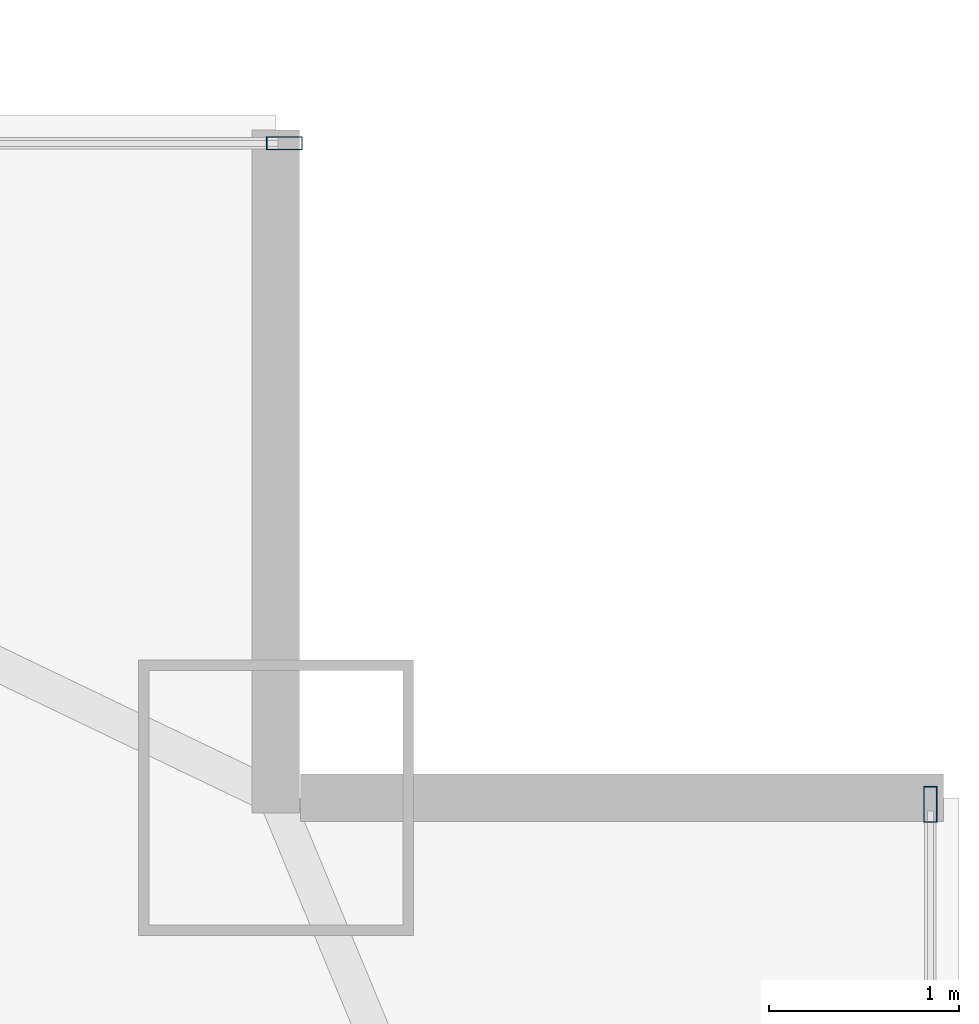
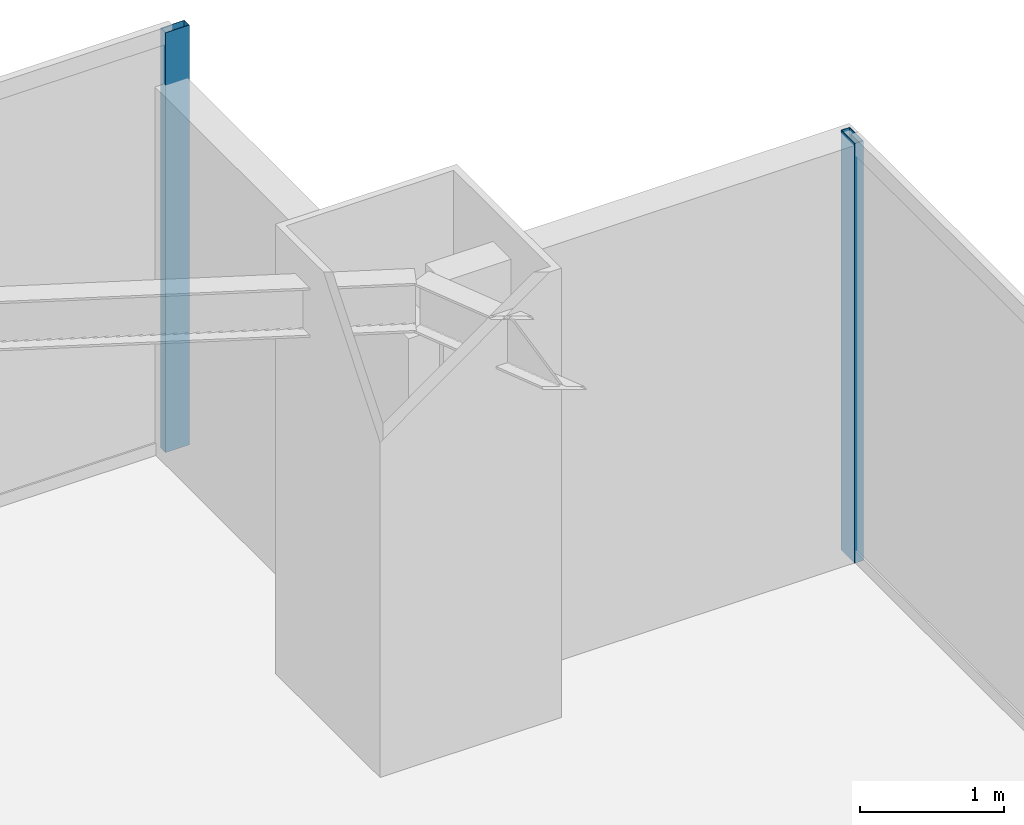
# One storey, part 26 of 36: 2 members, 2 elements without a shape of their own.
"""IFC4 building model written with IfcOpenShell, lengths in metres."""

from ifc_helpers import new_model, si_unit, direction, frame, origin, origin_2d, place, context, subcontext, project, spatial, hollow_rectangle, extrude, source, transform, mapped, material, layer, layer_set, material_profile, profile_set, type_object, type_shapes, element, aggregate, save


model = new_model("IFC4")

# Units and contexts
model_context = context("Model", 3, precision=1e-05, world=origin(), true_north=direction((0.0, 1.0)))
body_context = subcontext(model_context, "Body", "Model", "MODEL_VIEW")
ifc_project = project(units=[si_unit("LENGTHUNIT", "METRE"), si_unit("AREAUNIT", "SQUARE_METRE"), si_unit("VOLUMEUNIT", "CUBIC_METRE"), si_unit("PLANEANGLEUNIT", "RADIAN"), si_unit("MASSUNIT", "GRAM", prefix="KILO")], contexts=[model_context])

# Site, building, storey
site_placement = place(None, origin())
site = spatial("IfcSite", under=ifc_project, at=site_placement, CompositionType="ELEMENT")
building_placement = place(site_placement, origin())
building = spatial("IfcBuilding", under=site, at=building_placement, Name="Varnel Quay Broadcast Tower", CompositionType="ELEMENT")
storey_placement = place(building_placement, frame((0.0, 0.0, 114.39990234375)))
storey = spatial("IfcBuildingStorey", under=building, at=storey_placement, Name="L27", CompositionType="ELEMENT", Elevation=114.39990234375)

# Curtain wall, member
ifc_material = material(Name="Anodised Bronze Aluminium 6063-T6", Category="aluminium")
ifc_layer = layer(ifc_material, 0.18994140625, Name="Anodised Bronze Aluminium 6063-T6")
ifc_layer_set = layer_set([ifc_layer], Name="Anodised Bronze Aluminium 6063-T6")
curtain_wall_type = type_object("IfcCurtainWallType", Name="CW_LowerTower", PredefinedType="NOTDEFINED", material=ifc_layer_set)
curtain_wall_1_placement = place(storey_placement, origin())
curtain_wall_1 = element("IfcCurtainWall", 1, at=curtain_wall_1_placement, inside=storey, type_object=curtain_wall_type, Name="L27 East Unitised Curtain Wall", PredefinedType="NOTDEFINED")
ifc_material_profile = material_profile(ifc_material, hollow_rectangle(XDim=0.070068359375, YDim=0.18994140625, WallThickness=0.00390625, at=origin_2d()), Name="ALU70X190X4")
ifc_profile_set = profile_set([ifc_material_profile], Name="Anodised Bronze Aluminium 6063-T6")
member_type = type_object("IfcMemberType", Name="Mull_CWS-02", PredefinedType="MULLION", material=ifc_profile_set)
shared_shape = source(origin(), body_context, "Body", "SweptSolid", [
    extrude(hollow_rectangle(XDim=0.070068359375, YDim=0.18994140625, WallThickness=0.00390625, at=origin_2d()), origin(), (0.0, 0.0, 1.0), 3.550048828125),
])
type_shapes(member_type, [shared_shape])
member_1_placement = place(storey_placement, frame((63.35009765625, 43.1650390625, 0.0), z_axis=(0.0, 0.0, 1.0), x_axis=(-1.0, 0.0, 0.0)))
member_1 = element("IfcMember", 2, at=member_1_placement, type_object=member_type, Name="CWS-02 mullion 4", PredefinedType="MULLION", context=body_context, shape_type="MappedRepresentation", body=[
    mapped(shared_shape, transform((0.0, 0.0, 0.0), x_axis=(1.0, 0.0, 0.0), y_axis=(0.0, 1.0, 0.0), z_axis=(0.0, 0.0, 1.0), scale=1.0)),
])
aggregate(curtain_wall_1, [member_1])

curtain_wall_2_placement = place(storey_placement, origin())
curtain_wall_2 = element("IfcCurtainWall", 3, at=curtain_wall_2_placement, inside=storey, type_object=curtain_wall_type, Name="L27 NE Wing Curtain Wall", PredefinedType="NOTDEFINED")
member_2_placement = place(storey_placement, frame((59.945068359375, 46.64990234375, 0.0), z_axis=(0.0, 0.0, 1.0), x_axis=(0.0, 1.0, 0.0)))
member_2 = element("IfcMember", 4, at=member_2_placement, type_object=member_type, Name="CWS-02 mullion 2", PredefinedType="MULLION", context=body_context, shape_type="MappedRepresentation", body=[
    mapped(shared_shape, transform((0.0, 0.0, 0.0), x_axis=(1.0, 0.0, 0.0), y_axis=(0.0, 1.0, 0.0), z_axis=(0.0, 0.0, 1.0), scale=1.0)),
])
aggregate(curtain_wall_2, [member_2])

save(model, "model.ifc")
